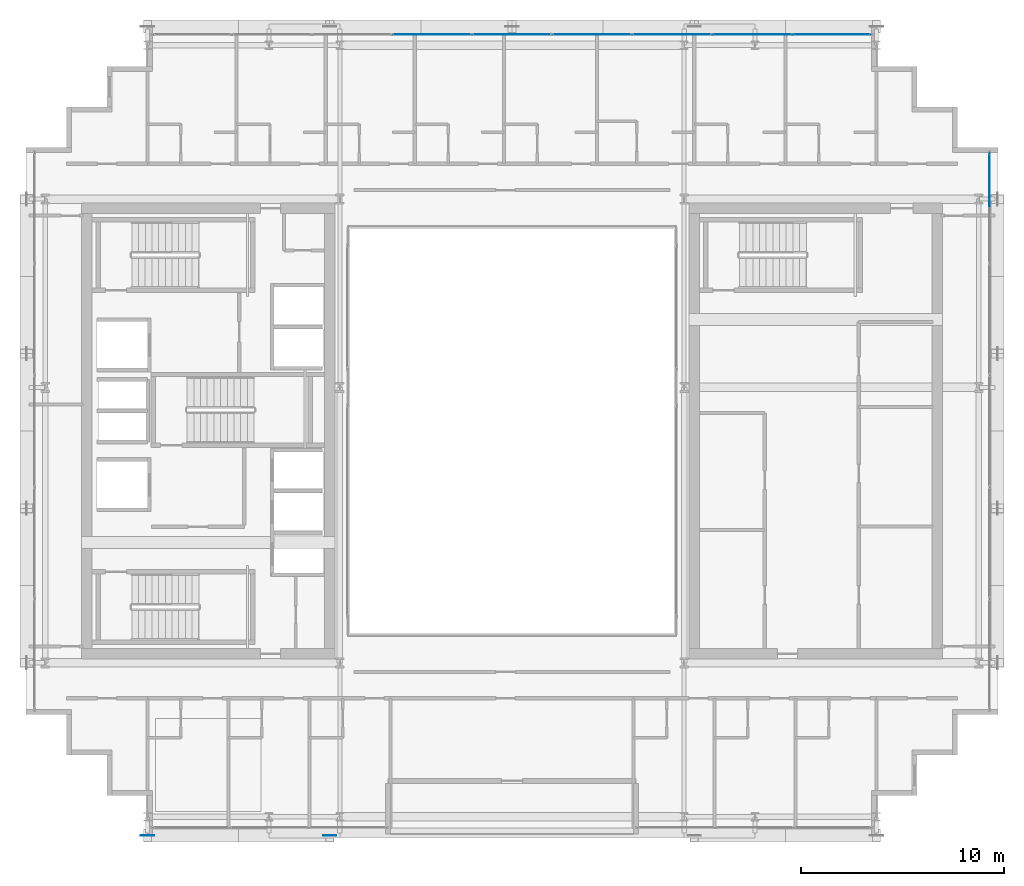
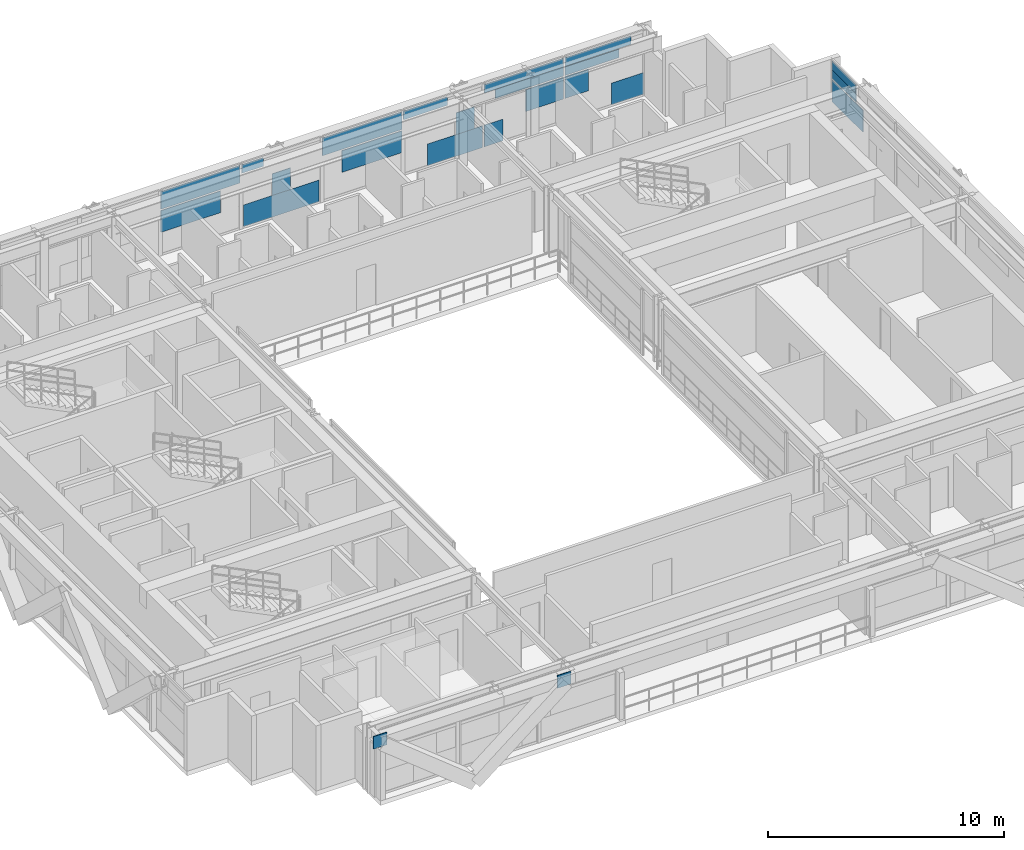
# One storey, part 26 of 38: 23 plates, 2 elements without a shape of their own.
"""IFC4 building model written with IfcOpenShell, lengths in metres."""

from ifc_helpers import new_model, si_unit, direction, frame, origin, origin_2d, place, context, subcontext, project, spatial, rectangle, extrude, source, transform, mapped, material, layer, layer_set, type_object, element, aggregate, save


model = new_model("IFC4")

# Units and contexts
model_context = context("Model", 3, precision=1e-05, world=origin(), true_north=direction((0.0, 1.0)))
body_context = subcontext(model_context, "Body", "Model", "MODEL_VIEW")
ifc_project = project(units=[si_unit("LENGTHUNIT", "METRE"), si_unit("AREAUNIT", "SQUARE_METRE"), si_unit("VOLUMEUNIT", "CUBIC_METRE"), si_unit("PLANEANGLEUNIT", "RADIAN"), si_unit("MASSUNIT", "GRAM", prefix="KILO")], contexts=[model_context])

# Site, building, storey
site_placement = place(None, origin())
site = spatial("IfcSite", under=ifc_project, at=site_placement, CompositionType="ELEMENT")
building_placement = place(site_placement, origin())
building = spatial("IfcBuilding", under=site, at=building_placement, Name="Ocotamira Hotel", CompositionType="ELEMENT")
storey_placement = place(building_placement, frame((0.0, 0.0, 170.39990234375)))
storey = spatial("IfcBuildingStorey", under=building, at=storey_placement, Name="L42", CompositionType="ELEMENT", Elevation=170.39990234375)

# Plates
ifc_material_1 = material(Name="Pale-metal coated steel ASTM A572 Grade 50", Category="steel")
ifc_layer_1 = layer(ifc_material_1, 0.0400390625)
ifc_layer_set_1 = layer_set([ifc_layer_1], Name="Pale-metal coated steel ASTM A572 Grade 50")
plate_type_1 = type_object("IfcPlateType", Name="PLT-GUSSET-40", PredefinedType="SHEET", material=ifc_layer_set_1)
shared_shape_1 = source(origin(), body_context, "Body", "SweptSolid", [
    extrude(rectangle(XDim=0.64990234375, YDim=0.0400390625, at=origin_2d()), origin(), (0.0, 0.0, 1.0), 0.64990234375),
])
for number, where, z_axis, x_axis, name in (
    (1, (14.0, 6.030029296875, 2.795166015625), (0.0, 0.0, 1.0), (-1.0, 0.0, 0.0), "L42 Exoskeleton Diagrid S0.1 End Gusset B"),
    (2, (23.0, 6.030029296875, 2.795166015625), (0.0, 0.0, 1.0), (1.0, 0.0, 0.0), "L42 Exoskeleton Diagrid S0.2 End Gusset B"),
):
    element("IfcPlate", number, at=place(storey_placement, frame(where, z_axis=z_axis, x_axis=x_axis)), inside=storey, type_object=plate_type_1, Name=name, PredefinedType="SHEET", context=body_context, shape_type="MappedRepresentation", body=[
        mapped(shared_shape_1, transform((0.0, 0.0, 0.0), scale=1.0)),
    ])

# Curtain wall, plates
ifc_material_2 = material(Name="Anodised pale-metal aluminium and solar glass", Category="aluminium")
ifc_layer_2 = layer(ifc_material_2, 0.199951171875)
ifc_layer_set_2 = layer_set([ifc_layer_2], Name="Anodised pale-metal aluminium and solar glass")
curtain_wall_type = type_object("IfcCurtainWallType", Name="CW-SYS4-Z3", PredefinedType="NOTDEFINED", material=ifc_layer_set_2)
curtain_wall_1_placement = place(storey_placement, origin())
curtain_wall_1 = element("IfcCurtainWall", 3, at=curtain_wall_1_placement, inside=storey, type_object=curtain_wall_type, Name="L42 Curtain Wall CW-4 CW-L42-N", PredefinedType="NOTDEFINED")
ifc_material_3 = material(Name="Double-silver low-E insulated solar glass", Category="glass")
ifc_layer_3 = layer(ifc_material_3, 0.031982421875)
ifc_layer_set_3 = layer_set([ifc_layer_3], Name="Double-silver low-E insulated solar glass")
plate_type_2 = type_object("IfcPlateType", Name="CWP-VISION-32", PredefinedType="CURTAIN_PANEL", material=ifc_layer_set_3)
shared_shape_2 = source(origin(), body_context, "Body", "SweptSolid", [
    extrude(rectangle(XDim=1.5673828125, YDim=0.031982421875, at=origin_2d()), origin(), (0.0, 0.0, 1.0), 1.118896484375),
])
plate_1_placement = place(storey_placement, frame((48.936279296875, 45.580078125, 0.0751953125), z_axis=(0.0, 0.0, 1.0), x_axis=(1.0, 0.0, 0.0)))
plate_1 = element("IfcPlate", 4, at=plate_1_placement, type_object=plate_type_2, Name="CW-4 panel 9.1.2", PredefinedType="CURTAIN_PANEL", context=body_context, shape_type="MappedRepresentation", body=[
    mapped(shared_shape_2, transform((0.0, 0.0, 0.0), scale=1.0)),
])
shared_shape_3 = source(origin(), body_context, "Body", "SweptSolid", [
    extrude(rectangle(XDim=3.233154296875, YDim=0.031982421875, at=origin_2d()), origin(), (0.0, 0.0, 1.0), 0.4326171875),
])
plate_2_placement = place(storey_placement, frame((47.5009765625, 45.580078125, 2.862548828125), z_axis=(0.0, 0.0, 1.0), x_axis=(1.0, 0.0, 0.0)))
plate_2 = element("IfcPlate", 5, at=plate_2_placement, type_object=plate_type_2, Name="CW-4 panel 9.2.2", PredefinedType="CURTAIN_PANEL", context=body_context, shape_type="MappedRepresentation", body=[
    mapped(shared_shape_3, transform((0.0, 0.0, 0.0), scale=1.0)),
])
shared_shape_4 = source(origin(), body_context, "Body", "SweptSolid", [
    extrude(rectangle(XDim=2.6396484375, YDim=0.031982421875, at=origin_2d()), origin(), (0.0, 0.0, 1.0), 0.443603515625),
])
plate_3_placement = place(storey_placement, frame((47.204345703125, 45.580078125, 2.3876953125), z_axis=(0.0, 0.0, 1.0), x_axis=(1.0, 0.0, 0.0)))
plate_3 = element("IfcPlate", 6, at=plate_3_placement, type_object=plate_type_2, Name="CW-4 panel 9.2.1", PredefinedType="CURTAIN_PANEL", context=body_context, shape_type="MappedRepresentation", body=[
    mapped(shared_shape_4, transform((0.0, 0.0, 0.0), scale=1.0)),
])
shared_shape_5 = source(origin(), body_context, "Body", "SweptSolid", [
    extrude(rectangle(XDim=0.918701171875, YDim=0.031982421875, at=origin_2d()), origin(), (0.0, 0.0, 1.0), 1.118896484375),
])
plate_4_placement = place(storey_placement, frame((42.38818359375, 45.580078125, 0.0751953125), z_axis=(0.0, 0.0, 1.0), x_axis=(1.0, 0.0, 0.0)))
plate_4 = element("IfcPlate", 7, at=plate_4_placement, type_object=plate_type_2, Name="CW-4 panel 8.1.1", PredefinedType="CURTAIN_PANEL", context=body_context, shape_type="MappedRepresentation", body=[
    mapped(shared_shape_5, transform((0.0, 0.0, 0.0), scale=1.0)),
])
shared_shape_6 = source(origin(), body_context, "Body", "SweptSolid", [
    extrude(rectangle(XDim=3.32861328125, YDim=0.031982421875, at=origin_2d()), origin(), (0.0, 0.0, 1.0), 0.474853515625),
])
plate_5_placement = place(storey_placement, frame((44.14013671875, 45.580078125, 2.3876953125), z_axis=(0.0, 0.0, 1.0), x_axis=(1.0, 0.0, 0.0)))
plate_5 = element("IfcPlate", 8, at=plate_5_placement, type_object=plate_type_2, Name="CW-4 panel 8.2.2", PredefinedType="CURTAIN_PANEL", context=body_context, shape_type="MappedRepresentation", body=[
    mapped(shared_shape_6, transform((0.0, 0.0, 0.0), scale=1.0)),
])
shared_shape_7 = source(origin(), body_context, "Body", "SweptSolid", [
    extrude(rectangle(XDim=3.87548828125, YDim=0.031982421875, at=origin_2d()), origin(), (0.0, 0.0, 1.0), 0.4326171875),
])
plate_6_placement = place(storey_placement, frame((43.86669921875, 45.580078125, 2.862548828125), z_axis=(0.0, 0.0, 1.0), x_axis=(1.0, 0.0, 0.0)))
plate_6 = element("IfcPlate", 9, at=plate_6_placement, type_object=plate_type_2, Name="CW-4 panel 8.2.1", PredefinedType="CURTAIN_PANEL", context=body_context, shape_type="MappedRepresentation", body=[
    mapped(shared_shape_7, transform((0.0, 0.0, 0.0), scale=1.0)),
])
shared_shape_8 = source(origin(), body_context, "Body", "SweptSolid", [
    extrude(rectangle(XDim=2.6962890625, YDim=0.031982421875, at=origin_2d()), origin(), (0.0, 0.0, 1.0), 1.118896484375),
])
plate_7_placement = place(storey_placement, frame((40.500732421875, 45.580078125, 0.0751953125), z_axis=(0.0, 0.0, 1.0), x_axis=(1.0, 0.0, 0.0)))
plate_7 = element("IfcPlate", 10, at=plate_7_placement, type_object=plate_type_2, Name="CW-4 panel 7.1.1", PredefinedType="CURTAIN_PANEL", context=body_context, shape_type="MappedRepresentation", body=[
    mapped(shared_shape_8, transform((0.0, 0.0, 0.0), scale=1.0)),
])
shared_shape_9 = source(origin(), body_context, "Body", "SweptSolid", [
    extrude(rectangle(XDim=2.144287109375, YDim=0.031982421875, at=origin_2d()), origin(), (0.0, 0.0, 1.0), 0.4326171875),
])
plate_8_placement = place(storey_placement, frame((39.04541015625, 45.580078125, 2.862548828125), z_axis=(0.0, 0.0, 1.0), x_axis=(1.0, 0.0, 0.0)))
plate_8 = element("IfcPlate", 11, at=plate_8_placement, type_object=plate_type_2, Name="CW-4 panel 7.2.1", PredefinedType="CURTAIN_PANEL", context=body_context, shape_type="MappedRepresentation", body=[
    mapped(shared_shape_9, transform((0.0, 0.0, 0.0), scale=1.0)),
])
shared_shape_10 = source(origin(), body_context, "Body", "SweptSolid", [
    extrude(rectangle(XDim=3.87548828125, YDim=0.031982421875, at=origin_2d()), origin(), (0.0, 0.0, 1.0), 0.907470703125),
])
plate_9_placement = place(storey_placement, frame((28.04443359375, 45.580078125, 2.3876953125), z_axis=(0.0, 0.0, 1.0), x_axis=(1.0, 0.0, 0.0)))
plate_9 = element("IfcPlate", 12, at=plate_9_placement, type_object=plate_type_2, Name="CW-4 panel 4.2", PredefinedType="CURTAIN_PANEL", context=body_context, shape_type="MappedRepresentation", body=[
    mapped(shared_shape_10, transform((0.0, 0.0, 0.0), scale=1.0)),
])
plate_10_placement = place(storey_placement, frame((35.95556640625, 45.580078125, 2.3876953125), z_axis=(0.0, 0.0, 1.0), x_axis=(1.0, 0.0, 0.0)))
plate_10 = element("IfcPlate", 13, at=plate_10_placement, type_object=plate_type_2, Name="CW-4 panel 6.2", PredefinedType="CURTAIN_PANEL", context=body_context, shape_type="MappedRepresentation", body=[
    mapped(shared_shape_10, transform((0.0, 0.0, 0.0), scale=1.0)),
])
shared_shape_11 = source(origin(), body_context, "Body", "SweptSolid", [
    extrude(rectangle(XDim=3.695068359375, YDim=0.031982421875, at=origin_2d()), origin(), (0.0, 0.0, 1.0), 1.118896484375),
])
plate_11_placement = place(storey_placement, frame((32.0, 45.580078125, 0.0751953125), z_axis=(0.0, 0.0, 1.0), x_axis=(1.0, 0.0, 0.0)))
plate_11 = element("IfcPlate", 14, at=plate_11_placement, type_object=plate_type_2, Name="CW-4 panel 5.1.1", PredefinedType="CURTAIN_PANEL", context=body_context, shape_type="MappedRepresentation", body=[
    mapped(shared_shape_11, transform((0.0, 0.0, 0.0), scale=1.0)),
])
shared_shape_12 = source(origin(), body_context, "Body", "SweptSolid", [
    extrude(rectangle(XDim=1.055419921875, YDim=0.031982421875, at=origin_2d()), origin(), (0.0, 0.0, 1.0), 0.4326171875),
])
plate_12_placement = place(storey_placement, frame((30.58984375, 45.580078125, 2.862548828125), z_axis=(0.0, 0.0, 1.0), x_axis=(1.0, 0.0, 0.0)))
plate_12 = element("IfcPlate", 15, at=plate_12_placement, type_object=plate_type_2, Name="CW-4 panel 5.2.1", PredefinedType="CURTAIN_PANEL", context=body_context, shape_type="MappedRepresentation", body=[
    mapped(shared_shape_12, transform((0.0, 0.0, 0.0), scale=1.0)),
])

curtain_wall_2_placement = place(storey_placement, origin())
curtain_wall_2 = element("IfcCurtainWall", 16, at=curtain_wall_2_placement, inside=storey, type_object=curtain_wall_type, Name="L42 Curtain Wall CW-4 CW-L42-E", PredefinedType="NOTDEFINED")
shared_shape_13 = source(origin(), body_context, "Body", "SweptSolid", [
    extrude(rectangle(XDim=2.048095703125, YDim=0.031982421875, at=origin_2d()), origin(), (0.0, 0.0, 1.0), 0.460693359375),
])
plate_13_placement = place(storey_placement, frame((55.580078125, 38.696044921875, 2.3876953125), z_axis=(0.0, 0.0, 1.0), x_axis=(0.0, 1.0, 0.0)))
plate_13 = element("IfcPlate", 17, at=plate_13_placement, type_object=plate_type_2, Name="CW-4 panel 5.2.3", PredefinedType="CURTAIN_PANEL", context=body_context, shape_type="MappedRepresentation", body=[
    mapped(shared_shape_13, transform((0.0, 0.0, 0.0), scale=1.0)),
])
shared_shape_14 = source(origin(), body_context, "Body", "SweptSolid", [
    extrude(rectangle(XDim=2.01171875, YDim=0.031982421875, at=origin_2d()), origin(), (0.0, 0.0, 1.0), 0.44677734375),
])
plate_14_placement = place(storey_placement, frame((55.580078125, 38.714111328125, 2.848388671875), z_axis=(0.0, 0.0, 1.0), x_axis=(0.0, 1.0, 0.0)))
plate_14 = element("IfcPlate", 18, at=plate_14_placement, type_object=plate_type_2, Name="CW-4 panel 5.2.4", PredefinedType="CURTAIN_PANEL", context=body_context, shape_type="MappedRepresentation", body=[
    mapped(shared_shape_14, transform((0.0, 0.0, 0.0), scale=1.0)),
])

# Plate
shared_shape_15 = source(origin(), body_context, "Body", "SweptSolid", [
    extrude(rectangle(XDim=0.898193359375, YDim=0.031982421875, at=origin_2d()), origin(), (0.0, 0.0, 1.0), 1.118896484375),
])
plate_15_placement = place(storey_placement, frame((32.0, 45.580078125, 1.19384765625), z_axis=(0.0, 0.0, 1.0), x_axis=(1.0, 0.0, 0.0)))
plate_15 = element("IfcPlate", 19, at=plate_15_placement, type_object=plate_type_2, Name="CW-4 panel 5.1.2", PredefinedType="CURTAIN_PANEL", context=body_context, shape_type="MappedRepresentation", body=[
    mapped(shared_shape_15, transform((0.0, 0.0, 0.0), scale=1.0)),
])

plate_16_placement = place(storey_placement, frame((41.0, 45.580078125, 1.19384765625), z_axis=(0.0, 0.0, 1.0), x_axis=(1.0, 0.0, 0.0)))
plate_16 = element("IfcPlate", 20, at=plate_16_placement, type_object=plate_type_2, Name="CW-4 panel 7.1.2", PredefinedType="CURTAIN_PANEL", context=body_context, shape_type="MappedRepresentation", body=[
    mapped(shared_shape_15, transform((0.0, 0.0, 0.0), scale=1.0)),
])

shared_shape_16 = source(origin(), body_context, "Body", "SweptSolid", [
    extrude(rectangle(XDim=1.1474609375, YDim=0.031982421875, at=origin_2d()), origin(), (0.0, 0.0, 1.0), 1.118896484375),
])
plate_17_placement = place(storey_placement, frame((46.458251953125, 45.580078125, 1.19384765625), z_axis=(0.0, 0.0, 1.0), x_axis=(1.0, 0.0, 0.0)))
plate_17 = element("IfcPlate", 21, at=plate_17_placement, type_object=plate_type_2, Name="CW-4 panel 9.1.1", PredefinedType="CURTAIN_PANEL", context=body_context, shape_type="MappedRepresentation", body=[
    mapped(shared_shape_16, transform((0.0, 0.0, 0.0), scale=1.0)),
])

shared_shape_17 = source(origin(), body_context, "Body", "SweptSolid", [
    extrude(rectangle(XDim=1.83642578125, YDim=0.031982421875, at=origin_2d()), origin(), (0.0, 0.0, 1.0), 1.118896484375),
])
plate_18_placement = place(storey_placement, frame((44.88623046875, 45.580078125, 1.19384765625), z_axis=(0.0, 0.0, 1.0), x_axis=(1.0, 0.0, 0.0)))
plate_18 = element("IfcPlate", 22, at=plate_18_placement, type_object=plate_type_2, Name="CW-4 panel 8.1.2", PredefinedType="CURTAIN_PANEL", context=body_context, shape_type="MappedRepresentation", body=[
    mapped(shared_shape_17, transform((0.0, 0.0, 0.0), scale=1.0)),
])

shared_shape_18 = source(origin(), body_context, "Body", "SweptSolid", [
    extrude(rectangle(XDim=2.92529296875, YDim=0.031982421875, at=origin_2d()), origin(), (0.0, 0.0, 1.0), 1.118896484375),
])
plate_19_placement = place(storey_placement, frame((27.5693359375, 45.580078125, 1.19384765625), z_axis=(0.0, 0.0, 1.0), x_axis=(1.0, 0.0, 0.0)))
plate_19 = element("IfcPlate", 23, at=plate_19_placement, type_object=plate_type_2, Name="CW-4 panel 4.1.1", PredefinedType="CURTAIN_PANEL", context=body_context, shape_type="MappedRepresentation", body=[
    mapped(shared_shape_18, transform((0.0, 0.0, 0.0), scale=1.0)),
])

plate_20_placement = place(storey_placement, frame((36.4306640625, 45.580078125, 1.19384765625), z_axis=(0.0, 0.0, 1.0), x_axis=(1.0, 0.0, 0.0)))
plate_20 = element("IfcPlate", 24, at=plate_20_placement, type_object=plate_type_2, Name="CW-4 panel 6.1.1", PredefinedType="CURTAIN_PANEL", context=body_context, shape_type="MappedRepresentation", body=[
    mapped(shared_shape_18, transform((0.0, 0.0, 0.0), scale=1.0)),
])

aggregate(curtain_wall_1, [plate_19, plate_9, plate_11, plate_15, plate_12, plate_20, plate_10, plate_7, plate_16, plate_8, plate_4, plate_18, plate_6, plate_5, plate_17, plate_1, plate_3, plate_2])

shared_shape_19 = source(origin(), body_context, "Body", "SweptSolid", [
    extrude(rectangle(XDim=2.615966796875, YDim=0.031982421875, at=origin_2d()), origin(), (0.0, 0.0, 1.0), 1.118896484375),
])
plate_21_placement = place(storey_placement, frame((55.580078125, 38.412109375, 1.19384765625), z_axis=(0.0, 0.0, 1.0), x_axis=(0.0, 1.0, 0.0)))
plate_21 = element("IfcPlate", 25, at=plate_21_placement, type_object=plate_type_2, Name="CW-4 panel 5.1.2", PredefinedType="CURTAIN_PANEL", context=body_context, shape_type="MappedRepresentation", body=[
    mapped(shared_shape_19, transform((0.0, 0.0, 0.0), scale=1.0)),
])

aggregate(curtain_wall_2, [plate_21, plate_13, plate_14])

save(model, "model.ifc")
